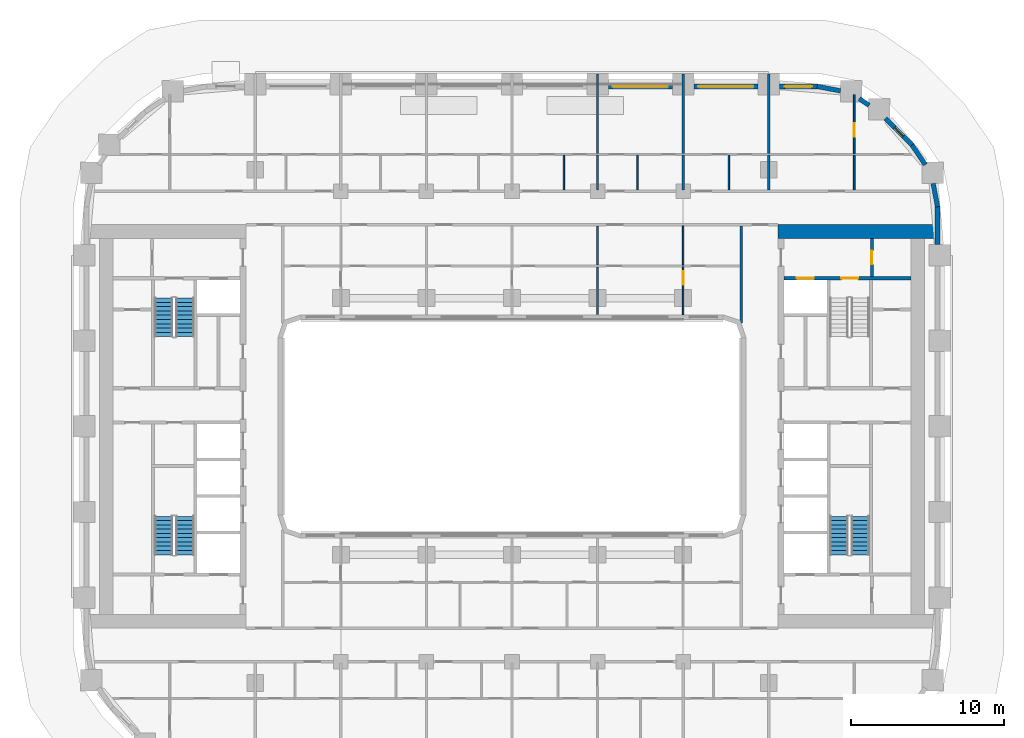
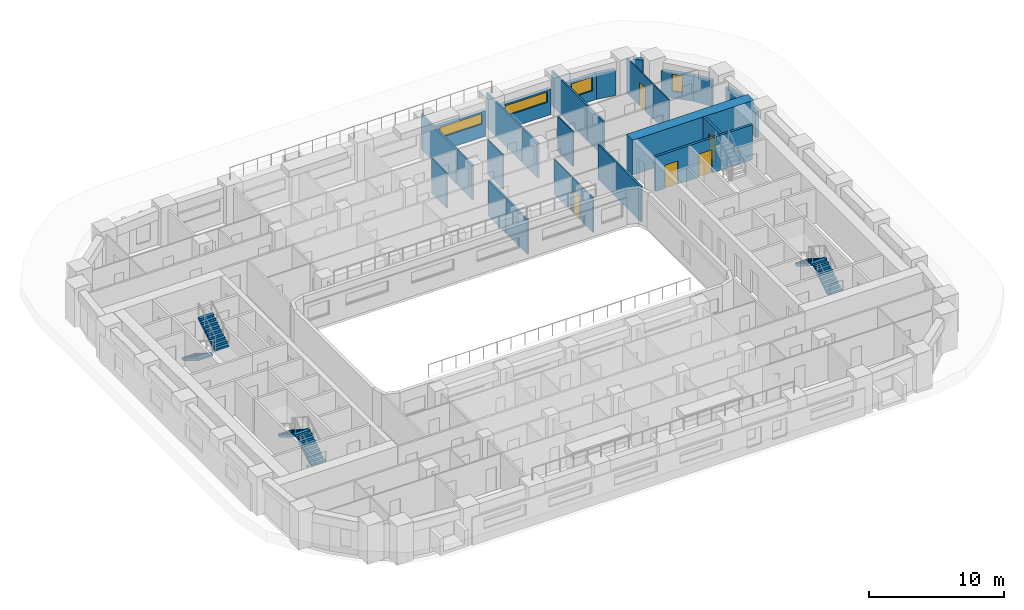
# One storey, part 10 of 18: 28 walls, 6 stair flights, 5 doors, 4 windows, 9 openings, 3 elements without a shape of their own.
"""IFC4 building model written with IfcOpenShell, lengths in metres."""

from ifc_helpers import new_model, si_unit, direction, frame, frame_2d, origin, place, context, subcontext, project, spatial, polyline, rectangle, outline, extrude, material, layer, layer_set, type_object, element, fill, aggregate, save


model = new_model("IFC4")

# Units and contexts
model_context = context("Model", 3, precision=1e-05, world=origin(), true_north=direction((0.0, 1.0)))
body_context = subcontext(model_context, "Body", "Model", "MODEL_VIEW")
ifc_project = project(units=[si_unit("LENGTHUNIT", "METRE"), si_unit("AREAUNIT", "SQUARE_METRE"), si_unit("VOLUMEUNIT", "CUBIC_METRE"), si_unit("PLANEANGLEUNIT", "RADIAN"), si_unit("MASSUNIT", "GRAM", prefix="KILO")], contexts=[model_context])

# Site, building, storey
site_placement = place(None, origin())
site = spatial("IfcSite", under=ifc_project, at=site_placement, CompositionType="ELEMENT")
building_placement = place(site_placement, origin())
building = spatial("IfcBuilding", under=site, at=building_placement, Name="Kiln Ring Residences", CompositionType="ELEMENT")
storey_placement = place(building_placement, frame((0.0, 0.0, 69.0)))
storey = spatial("IfcBuildingStorey", under=building, at=storey_placement, Name="L17", CompositionType="ELEMENT", Elevation=69.0)

# Wall, opening, door
ifc_material_1 = material(Name="Gypsum board on steel studs", Category="steel")
ifc_layer_1 = layer(ifc_material_1, 0.199951171875)
ifc_layer_set_1 = layer_set([ifc_layer_1], Name="CORE-PARTITION-200")
wall_type_1 = type_object("IfcWallType", Name="CORE-PARTITION-200", PredefinedType="PARTITIONING", material=ifc_layer_set_1)
wall_1_placement = place(storey_placement, frame((23.550048828125, 9.800048828125, 0.0), z_axis=(0.0, 0.0, 1.0), x_axis=(0.0, 1.0, 0.0)))
wall_1 = element("IfcWall", 1, at=wall_1_placement, inside=storey, type_object=wall_type_1, Name="Core partition east L17 4", PredefinedType="PARTITIONING", context=body_context, shape_type="SweptSolid", body=[
    extrude(rectangle(XDim=2.5, YDim=0.199951171875, at=frame_2d((1.25, 0.0))), origin(), (0.0, 0.0, 1.0), 3.14990234375),
])
opening_1_placement = place(wall_1_placement, frame((0.800048828125, 0.0, 0.0)))
opening_1 = element("IfcOpeningElement", 2, at=opening_1_placement, cuts=wall_1, Name="Opening L17-CE10", PredefinedType="OPENING", context=body_context, shape_type="SweptSolid", body=[
    extrude(rectangle(XDim=0.89990234375, YDim=2.10009765625, at=frame_2d((0.449951171875, 1.050048828125))), frame((0.0, 0.10986328125, 0.0), z_axis=(0.0, -1.0, 0.0), x_axis=(1.0, 0.0, 0.0)), (0.0, 0.0, 1.0), 0.219970703125),
])
ifc_material_2 = material(Name="Steel door leaf", Category="steel")
door_type_1 = type_object("IfcDoorType", Name="CORE-DOOR-ROOM", OperationType="SINGLE_SWING_LEFT", PredefinedType="DOOR", material=ifc_material_2)
door_1_placement = place(opening_1_placement, origin())
door_1 = element("IfcDoor", 3, at=door_1_placement, inside=storey, type_object=door_type_1, Name="Fire riser room L17-CE10", OperationType="SINGLE_SWING_LEFT", OverallHeight=2.10009765625, OverallWidth=0.89990234375, PredefinedType="DOOR", context=body_context, shape_type="SweptSolid", body=[
    extrude(rectangle(XDim=0.89990234375, YDim=2.10009765625, at=frame_2d((0.449951171875, 1.050048828125))), frame((0.0, 0.02490234375, 0.0), z_axis=(0.0, -1.0, 0.0), x_axis=(1.0, 0.0, 0.0)), (0.0, 0.0, 1.0), 0.050048828125),
])
fill(opening_1, door_1)

# Wall, openings, doors
ifc_material_3 = material(Name="Concrete C40/50", Category="concrete")
ifc_layer_2 = layer(ifc_material_3, 0.199951171875)
ifc_layer_set_2 = layer_set([ifc_layer_2], Name="CORE-WALL-RC200")
wall_type_2 = type_object("IfcWallType", Name="CORE-WALL-RC200", PredefinedType="SHEAR", material=ifc_layer_set_2)
wall_2_placement = place(storey_placement, frame((17.800048828125, 9.699951171875, 0.0), z_axis=(0.0, 0.0, 1.0), x_axis=(1.0, 0.0, 0.0)))
wall_2 = element("IfcWall", 4, at=wall_2_placement, inside=storey, type_object=wall_type_2, Name="Core wall east L17 9", PredefinedType="SHEAR", context=body_context, shape_type="SweptSolid", body=[
    extrude(rectangle(XDim=8.300048828125, YDim=0.199951171875, at=frame_2d((4.14990234375, 0.0))), origin(), (0.0, 0.0, 1.0), 3.14990234375),
])
opening_2_placement = place(wall_2_placement, frame((0.85009765625, 0.0, 0.0)))
opening_2 = element("IfcOpeningElement", 5, at=opening_2_placement, cuts=wall_2, Name="Opening L17-CE07", PredefinedType="OPENING", context=body_context, shape_type="SweptSolid", body=[
    extrude(rectangle(XDim=1.10009765625, YDim=2.10009765625, at=frame_2d((0.550048828125, 1.050048828125))), frame((0.0, 0.10986328125, 0.0), z_axis=(0.0, -1.0, 0.0), x_axis=(1.0, 0.0, 0.0)), (0.0, 0.0, 1.0), 0.219970703125),
])
opening_3_placement = place(wall_2_placement, frame((3.75, 0.0, 0.0)))
opening_3 = element("IfcOpeningElement", 6, at=opening_3_placement, cuts=wall_2, Name="Opening L17-CE12", PredefinedType="OPENING", context=body_context, shape_type="SweptSolid", body=[
    extrude(rectangle(XDim=1.10009765625, YDim=2.10009765625, at=frame_2d((0.550048828125, 1.050048828125))), frame((0.0, 0.10986328125, 0.0), z_axis=(0.0, -1.0, 0.0), x_axis=(1.0, 0.0, 0.0)), (0.0, 0.0, 1.0), 0.219970703125),
])
ifc_material_4 = material(Name="Steel door leaf", Category="steel")
door_type_2 = type_object("IfcDoorType", Name="CORE-DOOR-LD", OperationType="DOUBLE_DOOR_SLIDING", PredefinedType="DOOR", material=ifc_material_4)
door_2_placement = place(opening_2_placement, origin())
door_2 = element("IfcDoor", 7, at=door_2_placement, inside=storey, type_object=door_type_2, Name="LD E-FF L17-CE07", OperationType="DOUBLE_DOOR_SLIDING", OverallHeight=2.10009765625, OverallWidth=1.10009765625, PredefinedType="DOOR", context=body_context, shape_type="SweptSolid", body=[
    extrude(rectangle(XDim=1.10009765625, YDim=2.10009765625, at=frame_2d((0.550048828125, 1.050048828125))), frame((0.0, 0.02490234375, 0.0), z_axis=(0.0, -1.0, 0.0), x_axis=(1.0, 0.0, 0.0)), (0.0, 0.0, 1.0), 0.050048828125),
])
fill(opening_2, door_2)
ifc_material_5 = material(Name="Steel door leaf", Category="steel")
door_type_3 = type_object("IfcDoorType", Name="CORE-DOOR-STAIR", OperationType="SINGLE_SWING_LEFT", PredefinedType="DOOR", material=ifc_material_5)
door_3_placement = place(opening_3_placement, origin())
door_3 = element("IfcDoor", 8, at=door_3_placement, inside=storey, type_object=door_type_3, Name="Stair E-STN L17-CE12", OperationType="SINGLE_SWING_LEFT", OverallHeight=2.10009765625, OverallWidth=1.10009765625, PredefinedType="DOOR", context=body_context, shape_type="SweptSolid", body=[
    extrude(rectangle(XDim=1.10009765625, YDim=2.10009765625, at=frame_2d((0.550048828125, 1.050048828125))), frame((0.0, 0.02490234375, 0.0), z_axis=(0.0, -1.0, 0.0), x_axis=(1.0, 0.0, 0.0)), (0.0, 0.0, 1.0), 0.050048828125),
])
fill(opening_3, door_3)

# Walls
ifc_material_6 = material(Name="Concrete C60/75", Category="concrete")
ifc_layer_3 = layer(ifc_material_6, 0.89990234375)
ifc_layer_set_3 = layer_set([ifc_layer_3], Name="CORE-WALL-RC900")
wall_type_3 = type_object("IfcWallType", Name="CORE-WALL-RC900", PredefinedType="SHEAR", material=ifc_layer_set_3)
wall_3_placement = place(storey_placement, frame((17.39990234375, 12.75, 0.0), z_axis=(0.0, 0.0, 1.0), x_axis=(1.0, 0.0, 0.0)))
element("IfcWall", 9, at=wall_3_placement, inside=storey, type_object=wall_type_3, Name="Core wall east L17 4", PredefinedType="SHEAR", context=body_context, shape_type="SweptSolid", body=[
    extrude(rectangle(XDim=10.400146484375, YDim=0.89990234375, at=frame_2d((5.2001953125, 0.0))), origin(), (0.0, 0.0, 1.0), 3.14990234375),
])
ifc_material_7 = material(Name="Brick masonry, dark clay brick", Category="masonry")
ifc_layer_4 = layer(ifc_material_7, 0.300048828125)
ifc_layer_set_4 = layer_set([ifc_layer_4], Name="EW-300 BRICK WALL")
wall_type_4 = type_object("IfcWallType", Name="EW-300 BRICK WALL", PredefinedType="SOLIDWALL", material=ifc_layer_set_4)
wall_4_placement = place(storey_placement, frame((27.85009765625, 11.89990234375, 0.0), z_axis=(0.0, 0.0, 1.0), x_axis=(0.0, 1.0, 0.0)))
element("IfcWall", 10, at=wall_4_placement, inside=storey, type_object=wall_type_4, Name="Facade wall L17 22", PredefinedType="SOLIDWALL", context=body_context, shape_type="SweptSolid", body=[
    extrude(rectangle(XDim=2.5, YDim=0.300048828125, at=frame_2d((1.25, 0.0))), origin(), (0.0, 0.0, 1.0), 2.300048828125),
])
for number, where, z_axis, x_axis, name in (
    (11, (27.8525390625, 14.371826171875, 0.0), (0.0, 0.0, 1.0), (-0.187328386968, 0.982297345734, 0.0), "Facade wall L17 23"),
    (12, (27.053466796875, 17.125732421875, 0.0), (0.0, 0.0, 1.0), (-0.56199241657, 0.827142384187, 0.0), "Facade wall L17 24"),
):
    element("IfcWall", number, at=place(storey_placement, frame(where, z_axis=z_axis, x_axis=x_axis)), inside=storey, type_object=wall_type_4, Name=name, PredefinedType="SOLIDWALL", context=body_context, shape_type="SweptSolid", body=[
        extrude(rectangle(XDim=1.55615234375, YDim=0.300048828125, at=frame_2d((0.778076171875, 0.0))), origin(), (0.0, 0.0, 1.0), 2.300048828125),
    ])

# Wall, opening, window
wall_5_placement = place(storey_placement, frame((26.19677734375, 18.390869140625, 0.0), z_axis=(0.0, 0.0, 1.0), x_axis=(-0.707057949532, 0.707155609469, 0.0)))
wall_5 = element("IfcWall", 13, at=wall_5_placement, inside=storey, type_object=wall_type_4, Name="Facade wall L17 25", PredefinedType="SOLIDWALL", context=body_context, shape_type="SweptSolid", body=[
    extrude(rectangle(XDim=2.5, YDim=0.300048828125, at=frame_2d((1.25, 0.0))), origin(), (0.0, 0.0, 1.0), 2.300048828125),
])
opening_4_placement = place(wall_5_placement, frame((0.85009765625, 0.0, 0.60009765625)))
opening_4 = element("IfcOpeningElement", 14, at=opening_4_placement, cuts=wall_5, Name="Opening W5", PredefinedType="OPENING", context=body_context, shape_type="SweptSolid", body=[
    extrude(rectangle(XDim=0.800048828125, YDim=1.550048828125, at=frame_2d((0.39990234375, 0.77490234375))), frame((0.0, 0.159912109375, 0.0), z_axis=(0.0, -1.0, 0.0), x_axis=(1.0, 0.0, 0.0)), (0.0, 0.0, 1.0), 0.320068359375),
])
ifc_material_8 = material(Name="Aluminium frame with double glazing", Category="aluminium")
window_type_1 = type_object("IfcWindowType", Name="WINDOW 800 x 1550", PartitioningType="SINGLE_PANEL", PredefinedType="WINDOW", material=ifc_material_8)
window_1_placement = place(opening_4_placement, origin())
window_1 = element("IfcWindow", 15, at=window_1_placement, inside=storey, type_object=window_type_1, Name="Window L17 12", OverallHeight=1.550048828125, OverallWidth=0.800048828125, PartitioningType="SINGLE_PANEL", PredefinedType="WINDOW", context=body_context, shape_type="SweptSolid", body=[
    extrude(rectangle(XDim=0.800048828125, YDim=1.550048828125, at=frame_2d((0.39990234375, 0.77490234375))), frame((0.0, 0.030029296875, 0.0), z_axis=(0.0, -1.0, 0.0), x_axis=(1.0, 0.0, 0.0)), (0.0, 0.0, 1.0), 0.06005859375),
])
fill(opening_4, window_1)

# Walls
wall_6_placement = place(storey_placement, frame((23.368408203125, 21.016845703125, 0.0), z_axis=(0.0, 0.0, 1.0), x_axis=(-0.827037530089, 0.562146710232, 0.0)))
element("IfcWall", 16, at=wall_6_placement, inside=storey, type_object=wall_type_4, Name="Facade wall L17 26", PredefinedType="SOLIDWALL", context=body_context, shape_type="SweptSolid", body=[
    extrude(rectangle(XDim=0.77685546875, YDim=0.300048828125, at=frame_2d((0.388427734375, 0.0))), origin(), (0.0, 0.0, 1.0), 3.14990234375),
])
wall_7_placement = place(storey_placement, frame((21.50048828125, 21.961181640625, 0.0), z_axis=(0.0, 0.0, 1.0), x_axis=(-0.982297345734, 0.187328386968, 0.0)))
element("IfcWall", 17, at=wall_7_placement, inside=storey, type_object=wall_type_4, Name="Facade wall L17 27", PredefinedType="SOLIDWALL", context=body_context, shape_type="SweptSolid", body=[
    extrude(rectangle(XDim=1.55615234375, YDim=0.300048828125, at=frame_2d((0.778076171875, 0.0))), origin(), (0.0, 0.0, 1.0), 2.300048828125),
])

# Wall, opening, window
wall_8_placement = place(storey_placement, frame((20.0, 22.25, 0.0), z_axis=(0.0, 0.0, 1.0), x_axis=(-1.0, 0.0, 0.0)))
wall_8 = element("IfcWall", 18, at=wall_8_placement, inside=storey, type_object=wall_type_4, Name="Facade wall L17 28", PredefinedType="SOLIDWALL", context=body_context, shape_type="SweptSolid", body=[
    extrude(rectangle(XDim=2.5, YDim=0.300048828125, at=frame_2d((1.25, 0.0))), origin(), (0.0, 0.0, 1.0), 2.300048828125),
])
opening_5_placement = place(wall_8_placement, frame((0.35009765625, 0.0, 0.89990234375)))
opening_5 = element("IfcOpeningElement", 19, at=opening_5_placement, cuts=wall_8, Name="Opening W2", PredefinedType="OPENING", context=body_context, shape_type="SweptSolid", body=[
    extrude(rectangle(XDim=1.800048828125, YDim=1.25, at=frame_2d((0.89990234375, 0.625))), frame((0.0, 0.159912109375, 0.0), z_axis=(0.0, -1.0, 0.0), x_axis=(1.0, 0.0, 0.0)), (0.0, 0.0, 1.0), 0.320068359375),
])
ifc_material_9 = material(Name="Aluminium frame with double glazing", Category="aluminium")
window_type_2 = type_object("IfcWindowType", Name="WINDOW 1800 x 1250", PartitioningType="SINGLE_PANEL", PredefinedType="WINDOW", material=ifc_material_9)
window_2_placement = place(opening_5_placement, origin())
window_2 = element("IfcWindow", 20, at=window_2_placement, inside=storey, type_object=window_type_2, Name="Window L17 13", OverallHeight=1.25, OverallWidth=1.800048828125, PartitioningType="SINGLE_PANEL", PredefinedType="WINDOW", context=body_context, shape_type="SweptSolid", body=[
    extrude(rectangle(XDim=1.800048828125, YDim=1.25, at=frame_2d((0.89990234375, 0.625))), frame((0.0, 0.030029296875, 0.0), z_axis=(0.0, -1.0, 0.0), x_axis=(1.0, 0.0, 0.0)), (0.0, 0.0, 1.0), 0.06005859375),
])
fill(opening_5, window_2)

wall_9_placement = place(storey_placement, frame((16.10009765625, 22.25, 0.0), z_axis=(0.0, 0.0, 1.0), x_axis=(-1.0, 0.0, 0.0)))
wall_9 = element("IfcWall", 21, at=wall_9_placement, inside=storey, type_object=wall_type_4, Name="Facade wall L17 29", PredefinedType="SOLIDWALL", context=body_context, shape_type="SweptSolid", body=[
    extrude(rectangle(XDim=4.2001953125, YDim=0.300048828125, at=frame_2d((2.10009765625, 0.0))), origin(), (0.0, 0.0, 1.0), 2.300048828125),
])
opening_6_placement = place(wall_9_placement, frame((0.300048828125, 0.0, 1.199951171875)))
opening_6 = element("IfcOpeningElement", 22, at=opening_6_placement, cuts=wall_9, Name="Opening W4", PredefinedType="OPENING", context=body_context, shape_type="SweptSolid", body=[
    extrude(rectangle(XDim=3.60009765625, YDim=0.949951171875, at=frame_2d((1.800048828125, 0.47509765625))), frame((0.0, 0.159912109375, 0.0), z_axis=(0.0, -1.0, 0.0), x_axis=(1.0, 0.0, 0.0)), (0.0, 0.0, 1.0), 0.320068359375),
])
ifc_material_10 = material(Name="Aluminium frame with double glazing", Category="aluminium")
window_type_3 = type_object("IfcWindowType", Name="WINDOW 3600 x 950", PartitioningType="SINGLE_PANEL", PredefinedType="WINDOW", material=ifc_material_10)
window_3_placement = place(opening_6_placement, origin())
window_3 = element("IfcWindow", 23, at=window_3_placement, inside=storey, type_object=window_type_3, Name="Window L17 14", OverallHeight=0.949951171875, OverallWidth=3.60009765625, PartitioningType="SINGLE_PANEL", PredefinedType="WINDOW", context=body_context, shape_type="SweptSolid", body=[
    extrude(rectangle(XDim=3.60009765625, YDim=0.949951171875, at=frame_2d((1.800048828125, 0.47509765625))), frame((0.0, 0.030029296875, 0.0), z_axis=(0.0, -1.0, 0.0), x_axis=(1.0, 0.0, 0.0)), (0.0, 0.0, 1.0), 0.06005859375),
])
fill(opening_6, window_3)

wall_10_placement = place(storey_placement, frame((10.5, 22.25, 0.0), z_axis=(0.0, 0.0, 1.0), x_axis=(-1.0, 0.0, 0.0)))
wall_10 = element("IfcWall", 24, at=wall_10_placement, inside=storey, type_object=wall_type_4, Name="Facade wall L17 30", PredefinedType="SOLIDWALL", context=body_context, shape_type="SweptSolid", body=[
    extrude(rectangle(XDim=4.199951171875, YDim=0.300048828125, at=frame_2d((2.10009765625, 0.0))), origin(), (0.0, 0.0, 1.0), 2.300048828125),
])
opening_7_placement = place(wall_10_placement, frame((0.300048828125, 0.0, 1.199951171875)))
opening_7 = element("IfcOpeningElement", 25, at=opening_7_placement, cuts=wall_10, Name="Opening W4", PredefinedType="OPENING", context=body_context, shape_type="SweptSolid", body=[
    extrude(rectangle(XDim=3.60009765625, YDim=0.949951171875, at=frame_2d((1.800048828125, 0.47509765625))), frame((0.0, 0.159912109375, 0.0), z_axis=(0.0, -1.0, 0.0), x_axis=(1.0, 0.0, 0.0)), (0.0, 0.0, 1.0), 0.320068359375),
])
window_4_placement = place(opening_7_placement, origin())
window_4 = element("IfcWindow", 26, at=window_4_placement, inside=storey, type_object=window_type_3, Name="Window L17 15", OverallHeight=0.949951171875, OverallWidth=3.60009765625, PartitioningType="SINGLE_PANEL", PredefinedType="WINDOW", context=body_context, shape_type="SweptSolid", body=[
    extrude(rectangle(XDim=3.60009765625, YDim=0.949951171875, at=frame_2d((1.800048828125, 0.47509765625))), frame((0.0, 0.030029296875, 0.0), z_axis=(0.0, -1.0, 0.0), x_axis=(1.0, 0.0, 0.0)), (0.0, 0.0, 1.0), 0.06005859375),
])
fill(opening_7, window_4)

# Walls
ifc_material_11 = material(Name="Gypsum board on steel studs", Category="steel")
ifc_layer_5 = layer(ifc_material_11, 0.10009765625)
ifc_layer_set_5 = layer_set([ifc_layer_5], Name="PARTITION-100")
wall_type_5 = type_object("IfcWallType", Name="PARTITION-100", PredefinedType="PARTITIONING", material=ifc_layer_set_5)
for number, where, z_axis, x_axis, name in (
    (27, (3.39990234375, 15.47509765625, 0.0), (0.0, 0.0, 1.0), (0.0, 1.0, 0.0), "Partition 050"),
    (28, (8.199951171875, 15.47509765625, 0.0), (0.0, 0.0, 1.0), (0.0, 1.0, 0.0), "Partition 060"),
):
    element("IfcWall", number, at=place(storey_placement, frame(where, z_axis=z_axis, x_axis=x_axis)), inside=storey, type_object=wall_type_5, Name=name, PredefinedType="PARTITIONING", context=body_context, shape_type="SweptSolid", body=[
        extrude(rectangle(XDim=2.27490234375, YDim=0.10009765625, at=frame_2d((1.137451171875, 0.0))), origin(), (0.0, 0.0, 1.0), 3.14990234375),
    ])

# Wall, opening, door
wall_11_placement = place(storey_placement, frame((11.199951171875, 7.320068359375, 0.0), z_axis=(0.0, 0.0, 1.0), x_axis=(0.0, 1.0, 0.0)))
wall_11 = element("IfcWall", 29, at=wall_11_placement, inside=storey, type_object=wall_type_5, Name="Partition 064", PredefinedType="PARTITIONING", context=body_context, shape_type="SweptSolid", body=[
    extrude(rectangle(XDim=3.1298828125, YDim=0.10009765625, at=frame_2d((1.56494140625, 0.0))), origin(), (0.0, 0.0, 1.0), 3.14990234375),
])
opening_8_placement = place(wall_11_placement, frame((1.949951171875, 0.0, 0.0)))
opening_8 = element("IfcOpeningElement", 30, at=opening_8_placement, cuts=wall_11, Name="Opening L17-D016", PredefinedType="OPENING", context=body_context, shape_type="SweptSolid", body=[
    extrude(rectangle(XDim=0.89990234375, YDim=2.10009765625, at=frame_2d((0.449951171875, 1.050048828125))), frame((0.0, 0.06005859375, 0.0), z_axis=(0.0, -1.0, 0.0), x_axis=(1.0, 0.0, 0.0)), (0.0, 0.0, 1.0), 0.1201171875),
])
ifc_material_12 = material(Name="Timber door leaf", Category="wood")
door_type_4 = type_object("IfcDoorType", Name="FLAT-DOOR-900-PL", OperationType="SINGLE_SWING_LEFT", PredefinedType="DOOR", material=ifc_material_12)
door_4_placement = place(opening_8_placement, origin())
door_4 = element("IfcDoor", 31, at=door_4_placement, inside=storey, type_object=door_type_4, Name="Door L17-D016", OperationType="SINGLE_SWING_RIGHT", OverallHeight=2.10009765625, OverallWidth=0.89990234375, PredefinedType="DOOR", context=body_context, shape_type="SweptSolid", body=[
    extrude(rectangle(XDim=0.89990234375, YDim=2.10009765625, at=frame_2d((0.449951171875, 1.050048828125))), frame((0.0, 0.02490234375, 0.0), z_axis=(0.0, -1.0, 0.0), x_axis=(1.0, 0.0, 0.0)), (0.0, 0.0, 1.0), 0.050048828125),
])
fill(opening_8, door_4)

# Walls
wall_12_placement = place(storey_placement, frame((11.199951171875, 10.550048828125, 0.0), z_axis=(0.0, 0.0, 1.0), x_axis=(0.0, 1.0, 0.0)))
element("IfcWall", 32, at=wall_12_placement, inside=storey, type_object=wall_type_5, Name="Partition 065", PredefinedType="PARTITIONING", context=body_context, shape_type="SweptSolid", body=[
    extrude(rectangle(XDim=2.574951171875, YDim=0.10009765625, at=frame_2d((1.28759765625, 0.0))), origin(), (0.0, 0.0, 1.0), 3.14990234375),
])
for number, where, z_axis, x_axis, name in (
    (33, (14.199951171875, 15.47509765625, 0.0), (0.0, 0.0, 1.0), (0.0, 1.0, 0.0), "Partition 071"),
    (34, (22.39990234375, 15.47509765625, 0.0), (0.0, 0.0, 1.0), (0.0, 1.0, 0.0), "Partition 080"),
):
    element("IfcWall", number, at=place(storey_placement, frame(where, z_axis=z_axis, x_axis=x_axis)), inside=storey, type_object=wall_type_5, Name=name, PredefinedType="PARTITIONING", context=body_context, shape_type="SweptSolid", body=[
        extrude(rectangle(XDim=2.27490234375, YDim=0.10009765625, at=frame_2d((1.137451171875, 0.0))), origin(), (0.0, 0.0, 1.0), 3.14990234375),
    ])

# Wall, opening, door
wall_13_placement = place(storey_placement, frame((22.39990234375, 17.85009765625, 0.0), z_axis=(0.0, 0.0, 1.0), x_axis=(0.0, 1.0, 0.0)))
wall_13 = element("IfcWall", 35, at=wall_13_placement, inside=storey, type_object=wall_type_5, Name="Partition 081", PredefinedType="PARTITIONING", context=body_context, shape_type="SweptSolid", body=[
    extrude(rectangle(XDim=3.869873046875, YDim=0.10009765625, at=frame_2d((1.93505859375, 0.0))), origin(), (0.0, 0.0, 1.0), 3.14990234375),
])
opening_9_placement = place(wall_13_placement, frame((1.10009765625, 0.0, 0.0)))
opening_9 = element("IfcOpeningElement", 36, at=opening_9_placement, cuts=wall_13, Name="Opening L17-D042", PredefinedType="OPENING", context=body_context, shape_type="SweptSolid", body=[
    extrude(rectangle(XDim=0.89990234375, YDim=2.10009765625, at=frame_2d((0.449951171875, 1.050048828125))), frame((0.0, 0.06005859375, 0.0), z_axis=(0.0, -1.0, 0.0), x_axis=(1.0, 0.0, 0.0)), (0.0, 0.0, 1.0), 0.1201171875),
])
door_5_placement = place(opening_9_placement, origin())
door_5 = element("IfcDoor", 37, at=door_5_placement, inside=storey, type_object=door_type_4, Name="Door L17-D042", OperationType="SINGLE_SWING_LEFT", OverallHeight=2.10009765625, OverallWidth=0.89990234375, PredefinedType="DOOR", context=body_context, shape_type="SweptSolid", body=[
    extrude(rectangle(XDim=0.89990234375, YDim=2.10009765625, at=frame_2d((0.449951171875, 1.050048828125))), frame((0.0, 0.02490234375, 0.0), z_axis=(0.0, -1.0, 0.0), x_axis=(1.0, 0.0, 0.0)), (0.0, 0.0, 1.0), 0.050048828125),
])
fill(opening_9, door_5)

# Walls
ifc_material_13 = material(Name="Brick masonry partition", Category="masonry")
ifc_layer_6 = layer(ifc_material_13, 0.14990234375)
ifc_layer_set_6 = layer_set([ifc_layer_6], Name="PARTITION-150-ei60")
wall_type_6 = type_object("IfcWallType", Name="PARTITION-150-ei60", PredefinedType="PARTITIONING", material=ifc_layer_set_6)
wall_14_placement = place(storey_placement, frame((5.60009765625, 7.320068359375, 0.0), z_axis=(0.0, 0.0, 1.0), x_axis=(0.0, 1.0, 0.0)))
element("IfcWall", 38, at=wall_14_placement, inside=storey, type_object=wall_type_6, Name="Partition 056", PredefinedType="PARTITIONING", context=body_context, shape_type="SweptSolid", body=[
    extrude(rectangle(XDim=3.1298828125, YDim=0.14990234375, at=frame_2d((1.56494140625, 0.0))), origin(), (0.0, 0.0, 1.0), 3.14990234375),
])
wall_15_placement = place(storey_placement, frame((5.60009765625, 10.550048828125, 0.0), z_axis=(0.0, 0.0, 1.0), x_axis=(0.0, 1.0, 0.0)))
element("IfcWall", 39, at=wall_15_placement, inside=storey, type_object=wall_type_6, Name="Partition 057", PredefinedType="PARTITIONING", context=body_context, shape_type="SweptSolid", body=[
    extrude(rectangle(XDim=2.574951171875, YDim=0.14990234375, at=frame_2d((1.28759765625, 0.0))), origin(), (0.0, 0.0, 1.0), 3.14990234375),
])
wall_16_placement = place(storey_placement, frame((5.60009765625, 15.47509765625, 0.0), z_axis=(0.0, 0.0, 1.0), x_axis=(0.0, 1.0, 0.0)))
element("IfcWall", 40, at=wall_16_placement, inside=storey, type_object=wall_type_6, Name="Partition 058", PredefinedType="PARTITIONING", context=body_context, shape_type="SweptSolid", body=[
    extrude(rectangle(XDim=2.27490234375, YDim=0.14990234375, at=frame_2d((1.137451171875, 0.0))), origin(), (0.0, 0.0, 1.0), 3.14990234375),
])
wall_17_placement = place(storey_placement, frame((5.60009765625, 17.85009765625, 0.0), z_axis=(0.0, 0.0, 1.0), x_axis=(0.0, 1.0, 0.0)))
element("IfcWall", 41, at=wall_17_placement, inside=storey, type_object=wall_type_6, Name="Partition 059", PredefinedType="PARTITIONING", context=body_context, shape_type="SweptSolid", body=[
    extrude(rectangle(XDim=5.22998046875, YDim=0.14990234375, at=frame_2d((2.614990234375, 0.0))), origin(), (0.0, 0.0, 1.0), 3.14990234375),
])
wall_18_placement = place(storey_placement, frame((11.199951171875, 15.47509765625, 0.0), z_axis=(0.0, 0.0, 1.0), x_axis=(0.0, 1.0, 0.0)))
element("IfcWall", 42, at=wall_18_placement, inside=storey, type_object=wall_type_6, Name="Partition 068", PredefinedType="PARTITIONING", context=body_context, shape_type="SweptSolid", body=[
    extrude(rectangle(XDim=2.27490234375, YDim=0.14990234375, at=frame_2d((1.137451171875, 0.0))), origin(), (0.0, 0.0, 1.0), 3.14990234375),
])
wall_19_placement = place(storey_placement, frame((11.199951171875, 17.85009765625, 0.0), z_axis=(0.0, 0.0, 1.0), x_axis=(0.0, 1.0, 0.0)))
element("IfcWall", 43, at=wall_19_placement, inside=storey, type_object=wall_type_6, Name="Partition 069", PredefinedType="PARTITIONING", context=body_context, shape_type="SweptSolid", body=[
    extrude(rectangle(XDim=5.22998046875, YDim=0.14990234375, at=frame_2d((2.614990234375, 0.0))), origin(), (0.0, 0.0, 1.0), 3.14990234375),
])
wall_20_placement = place(storey_placement, frame((15.0, 6.768798828125, 0.0), z_axis=(0.0, 0.0, 1.0), x_axis=(0.0, 1.0, 0.0)))
element("IfcWall", 44, at=wall_20_placement, inside=storey, type_object=wall_type_6, Name="Partition 073", PredefinedType="PARTITIONING", context=body_context, shape_type="SweptSolid", body=[
    extrude(rectangle(XDim=6.356201171875, YDim=0.14990234375, at=frame_2d((3.17822265625, 0.0))), origin(), (0.0, 0.0, 1.0), 3.14990234375),
])
wall_21_placement = place(storey_placement, frame((16.800048828125, 15.47509765625, 0.0), z_axis=(0.0, 0.0, 1.0), x_axis=(0.0, 1.0, 0.0)))
element("IfcWall", 45, at=wall_21_placement, inside=storey, type_object=wall_type_6, Name="Partition 076", PredefinedType="PARTITIONING", context=body_context, shape_type="SweptSolid", body=[
    extrude(rectangle(XDim=2.27490234375, YDim=0.14990234375, at=frame_2d((1.137451171875, 0.0))), origin(), (0.0, 0.0, 1.0), 3.14990234375),
])
wall_22_placement = place(storey_placement, frame((16.800048828125, 17.85009765625, 0.0), z_axis=(0.0, 0.0, 1.0), x_axis=(0.0, 1.0, 0.0)))
element("IfcWall", 46, at=wall_22_placement, inside=storey, type_object=wall_type_6, Name="Partition 077", PredefinedType="PARTITIONING", context=body_context, shape_type="SweptSolid", body=[
    extrude(rectangle(XDim=5.22998046875, YDim=0.14990234375, at=frame_2d((2.614990234375, 0.0))), origin(), (0.0, 0.0, 1.0), 3.14990234375),
])

# Stair, stair flights
ifc_material_14 = material(Name="Concrete C40/50", Category="concrete")
stair_type = type_object("IfcStairType", Name="CORE-STAIR", PredefinedType="HALF_TURN_STAIR", material=ifc_material_14)
placement = place(storey_placement, origin())
stair_1 = element("IfcStair", 47, at=placement, inside=storey, type_object=stair_type, Name="L17 stair W-STN", PredefinedType="HALF_TURN_STAIR")
ifc_material_15 = material(Name="Concrete C40/50", Category="concrete")
stair_flight_type = type_object("IfcStairFlightType", Name="CORE-STAIR-FLIGHT", PredefinedType="STRAIGHT", material=ifc_material_15)
stair_flight_1_placement = place(storey_placement, frame((-22.800048828125, 8.39990234375, 0.0), z_axis=(0.0, 0.0, 1.0), x_axis=(0.0, -1.0, 0.0)))
stair_flight_1 = element("IfcStairFlight", 48, at=stair_flight_1_placement, type_object=stair_flight_type, Name="W-STN flight 1", NumberOfRisers=10, NumberOfTreads=9, PredefinedType="STRAIGHT", RiserHeight=0.175, TreadLength=0.28, context=body_context, shape_type="SweptSolid", body=[
    extrude(outline(polyline([(0.0, 0.0), (0.0, 0.175048828125), (0.280029296875, 0.175048828125), (0.280029296875, 0.35009765625), (0.56005859375, 0.35009765625), (0.56005859375, 0.52490234375), (0.840087890625, 0.52490234375), (0.840087890625, 0.699951171875), (1.1201171875, 0.699951171875), (1.1201171875, 0.875), (1.39990234375, 0.875), (1.39990234375, 1.050048828125), (1.679931640625, 1.050048828125), (1.679931640625, 1.22509765625), (1.9599609375, 1.22509765625), (1.9599609375, 1.39990234375), (2.239990234375, 1.39990234375), (2.239990234375, 1.574951171875), (2.52001953125, 1.574951171875), (2.52001953125, 1.75), (2.52001953125, 1.398193359375), (0.28271484375, 0.0), (0.0, 0.0)])), frame((0.0, 0.60009765625, 0.0), z_axis=(0.0, -1.0, 0.0), x_axis=(1.0, 0.0, 0.0)), (0.0, 0.0, 1.0), 1.199951171875),
])
stair_flight_2_placement = place(storey_placement, frame((-21.39990234375, 5.8798828125, 1.75), z_axis=(0.0, 0.0, 1.0), x_axis=(0.0, 1.0, 0.0)))
stair_flight_2 = element("IfcStairFlight", 49, at=stair_flight_2_placement, type_object=stair_flight_type, Name="W-STN flight 2", NumberOfRisers=10, NumberOfTreads=9, PredefinedType="STRAIGHT", RiserHeight=0.175, TreadLength=0.28, context=body_context, shape_type="SweptSolid", body=[
    extrude(outline(polyline([(0.0, 0.0), (0.0, 0.175048828125), (0.280029296875, 0.175048828125), (0.280029296875, 0.35009765625), (0.56005859375, 0.35009765625), (0.56005859375, 0.52490234375), (0.840087890625, 0.52490234375), (0.840087890625, 0.699951171875), (1.1201171875, 0.699951171875), (1.1201171875, 0.875), (1.39990234375, 0.875), (1.39990234375, 1.050048828125), (1.679931640625, 1.050048828125), (1.679931640625, 1.22509765625), (1.9599609375, 1.22509765625), (1.9599609375, 1.39990234375), (2.239990234375, 1.39990234375), (2.239990234375, 1.574951171875), (2.52001953125, 1.574951171875), (2.52001953125, 1.75), (2.52001953125, 1.398193359375), (0.28271484375, 0.0), (0.0, 0.0)])), frame((0.0, 0.60009765625, 0.0), z_axis=(0.0, -1.0, 0.0), x_axis=(1.0, 0.0, 0.0)), (0.0, 0.0, 1.0), 1.199951171875),
])
aggregate(stair_1, [stair_flight_1, stair_flight_2])

stair_2 = element("IfcStair", 50, at=placement, inside=storey, type_object=stair_type, Name="L17 stair W-STS", PredefinedType="HALF_TURN_STAIR")
stair_flight_3_placement = place(storey_placement, frame((-21.39990234375, -8.39990234375, 0.0), z_axis=(0.0, 0.0, 1.0), x_axis=(0.0, 1.0, 0.0)))
stair_flight_3 = element("IfcStairFlight", 51, at=stair_flight_3_placement, type_object=stair_flight_type, Name="W-STS flight 1", NumberOfRisers=10, NumberOfTreads=9, PredefinedType="STRAIGHT", RiserHeight=0.175, TreadLength=0.28, context=body_context, shape_type="SweptSolid", body=[
    extrude(outline(polyline([(0.0, 0.0), (0.0, 0.175048828125), (0.280029296875, 0.175048828125), (0.280029296875, 0.35009765625), (0.56005859375, 0.35009765625), (0.56005859375, 0.52490234375), (0.840087890625, 0.52490234375), (0.840087890625, 0.699951171875), (1.1201171875, 0.699951171875), (1.1201171875, 0.875), (1.39990234375, 0.875), (1.39990234375, 1.050048828125), (1.679931640625, 1.050048828125), (1.679931640625, 1.22509765625), (1.9599609375, 1.22509765625), (1.9599609375, 1.39990234375), (2.239990234375, 1.39990234375), (2.239990234375, 1.574951171875), (2.52001953125, 1.574951171875), (2.52001953125, 1.75), (2.52001953125, 1.398193359375), (0.28271484375, 0.0), (0.0, 0.0)])), frame((0.0, 0.60009765625, 0.0), z_axis=(0.0, -1.0, 0.0), x_axis=(1.0, 0.0, 0.0)), (0.0, 0.0, 1.0), 1.199951171875),
])
stair_flight_4_placement = place(storey_placement, frame((-22.800048828125, -5.8798828125, 1.75), z_axis=(0.0, 0.0, 1.0), x_axis=(0.0, -1.0, 0.0)))
stair_flight_4 = element("IfcStairFlight", 52, at=stair_flight_4_placement, type_object=stair_flight_type, Name="W-STS flight 2", NumberOfRisers=10, NumberOfTreads=9, PredefinedType="STRAIGHT", RiserHeight=0.175, TreadLength=0.28, context=body_context, shape_type="SweptSolid", body=[
    extrude(outline(polyline([(0.0, 0.0), (0.0, 0.175048828125), (0.280029296875, 0.175048828125), (0.280029296875, 0.35009765625), (0.56005859375, 0.35009765625), (0.56005859375, 0.52490234375), (0.840087890625, 0.52490234375), (0.840087890625, 0.699951171875), (1.1201171875, 0.699951171875), (1.1201171875, 0.875), (1.39990234375, 0.875), (1.39990234375, 1.050048828125), (1.679931640625, 1.050048828125), (1.679931640625, 1.22509765625), (1.9599609375, 1.22509765625), (1.9599609375, 1.39990234375), (2.239990234375, 1.39990234375), (2.239990234375, 1.574951171875), (2.52001953125, 1.574951171875), (2.52001953125, 1.75), (2.52001953125, 1.398193359375), (0.28271484375, 0.0), (0.0, 0.0)])), frame((0.0, 0.60009765625, 0.0), z_axis=(0.0, -1.0, 0.0), x_axis=(1.0, 0.0, 0.0)), (0.0, 0.0, 1.0), 1.199951171875),
])
aggregate(stair_2, [stair_flight_3, stair_flight_4])

stair_3 = element("IfcStair", 53, at=placement, inside=storey, type_object=stair_type, Name="L17 stair E-STS", PredefinedType="HALF_TURN_STAIR")
stair_flight_5_placement = place(storey_placement, frame((22.800048828125, -8.39990234375, 0.0), z_axis=(0.0, 0.0, 1.0), x_axis=(0.0, 1.0, 0.0)))
stair_flight_5 = element("IfcStairFlight", 54, at=stair_flight_5_placement, type_object=stair_flight_type, Name="E-STS flight 1", NumberOfRisers=10, NumberOfTreads=9, PredefinedType="STRAIGHT", RiserHeight=0.175, TreadLength=0.28, context=body_context, shape_type="SweptSolid", body=[
    extrude(outline(polyline([(0.0, 0.0), (0.0, 0.175048828125), (0.280029296875, 0.175048828125), (0.280029296875, 0.35009765625), (0.56005859375, 0.35009765625), (0.56005859375, 0.52490234375), (0.840087890625, 0.52490234375), (0.840087890625, 0.699951171875), (1.1201171875, 0.699951171875), (1.1201171875, 0.875), (1.39990234375, 0.875), (1.39990234375, 1.050048828125), (1.679931640625, 1.050048828125), (1.679931640625, 1.22509765625), (1.9599609375, 1.22509765625), (1.9599609375, 1.39990234375), (2.239990234375, 1.39990234375), (2.239990234375, 1.574951171875), (2.52001953125, 1.574951171875), (2.52001953125, 1.75), (2.52001953125, 1.398193359375), (0.28271484375, 0.0), (0.0, 0.0)])), frame((0.0, 0.60009765625, 0.0), z_axis=(0.0, -1.0, 0.0), x_axis=(1.0, 0.0, 0.0)), (0.0, 0.0, 1.0), 1.199951171875),
])
stair_flight_6_placement = place(storey_placement, frame((21.39990234375, -5.8798828125, 1.75), z_axis=(0.0, 0.0, 1.0), x_axis=(0.0, -1.0, 0.0)))
stair_flight_6 = element("IfcStairFlight", 55, at=stair_flight_6_placement, type_object=stair_flight_type, Name="E-STS flight 2", NumberOfRisers=10, NumberOfTreads=9, PredefinedType="STRAIGHT", RiserHeight=0.175, TreadLength=0.28, context=body_context, shape_type="SweptSolid", body=[
    extrude(outline(polyline([(0.0, 0.0), (0.0, 0.175048828125), (0.280029296875, 0.175048828125), (0.280029296875, 0.35009765625), (0.56005859375, 0.35009765625), (0.56005859375, 0.52490234375), (0.840087890625, 0.52490234375), (0.840087890625, 0.699951171875), (1.1201171875, 0.699951171875), (1.1201171875, 0.875), (1.39990234375, 0.875), (1.39990234375, 1.050048828125), (1.679931640625, 1.050048828125), (1.679931640625, 1.22509765625), (1.9599609375, 1.22509765625), (1.9599609375, 1.39990234375), (2.239990234375, 1.39990234375), (2.239990234375, 1.574951171875), (2.52001953125, 1.574951171875), (2.52001953125, 1.75), (2.52001953125, 1.398193359375), (0.28271484375, 0.0), (0.0, 0.0)])), frame((0.0, 0.60009765625, 0.0), z_axis=(0.0, -1.0, 0.0), x_axis=(1.0, 0.0, 0.0)), (0.0, 0.0, 1.0), 1.199951171875),
])
aggregate(stair_3, [stair_flight_5, stair_flight_6])

save(model, "model.ifc")
